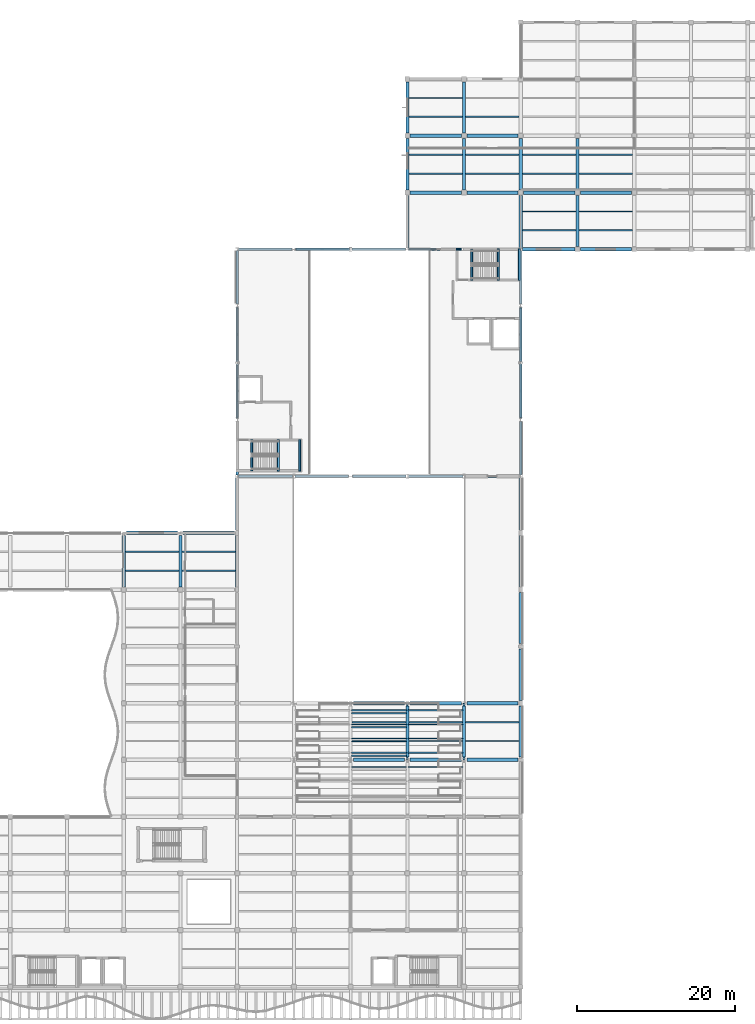
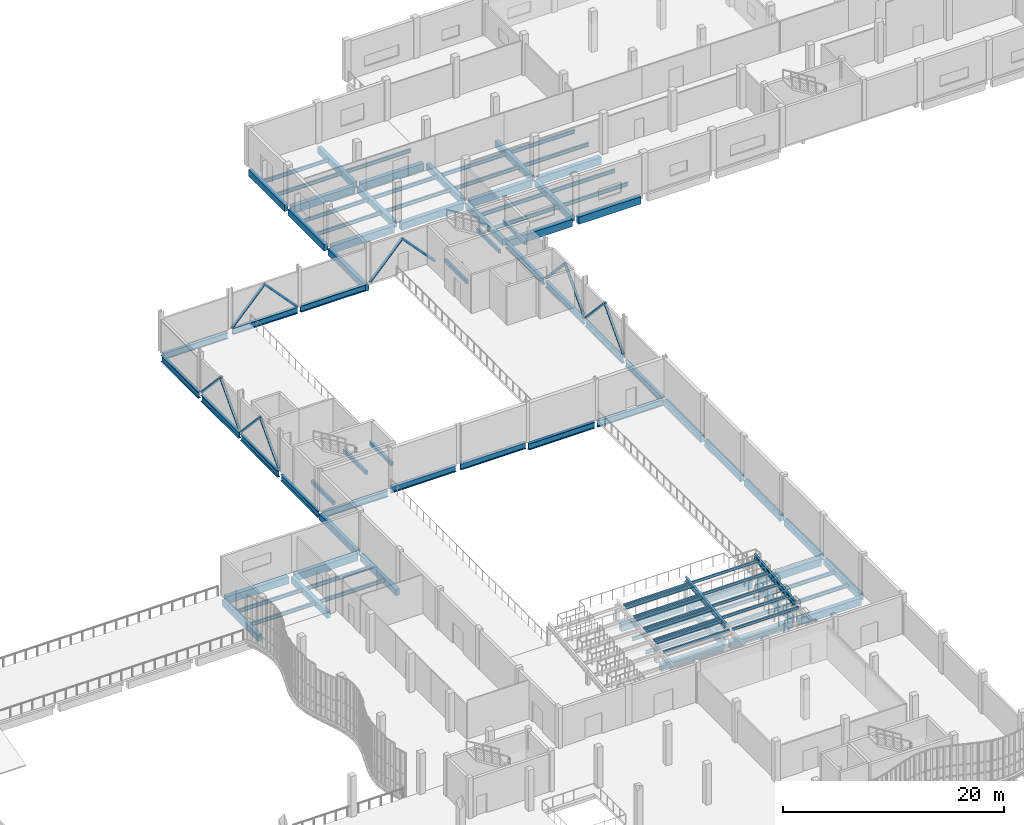
# One storey, part 40 of 105: 99 beams, 12 members.
"""IFC4 building model written with IfcOpenShell, lengths in metres."""

from ifc_helpers import new_model, si_unit, direction, frame, origin, origin_2d, place, context, subcontext, project, spatial, rectangle, hollow_circle, i_section, extrude, material, material_profile, profile_set, type_object, element, save


model = new_model("IFC4")

# Units and contexts
model_context = context("Model", 3, precision=1e-05, world=origin(), true_north=direction((0.0, 1.0)))
body_context = subcontext(model_context, "Body", "Model", "MODEL_VIEW")
ifc_project = project(units=[si_unit("LENGTHUNIT", "METRE"), si_unit("AREAUNIT", "SQUARE_METRE"), si_unit("VOLUMEUNIT", "CUBIC_METRE"), si_unit("PLANEANGLEUNIT", "RADIAN"), si_unit("MASSUNIT", "GRAM", prefix="KILO"), si_unit("THERMODYNAMICTEMPERATUREUNIT", "KELVIN"), si_unit("POWERUNIT", "WATT")], contexts=[model_context])

# Site, building, storey
site_placement = place(None, origin())
site = spatial("IfcSite", under=ifc_project, at=site_placement, CompositionType="ELEMENT")
building_placement = place(site_placement, origin())
building = spatial("IfcBuilding", under=site, at=building_placement, Name="Kaldorven Railside Theatre", CompositionType="ELEMENT")
storey_placement = place(building_placement, frame((0.0, 0.0, 9.89990234375)))
storey = spatial("IfcBuildingStorey", under=building, at=storey_placement, Name="L02", CompositionType="ELEMENT", Elevation=9.89990234375)

# Beams
ifc_material_1 = material(Name="Steel S355", Category="steel")
ifc_material_profile_1 = material_profile(ifc_material_1, i_section(OverallWidth=0.300048828125, OverallDepth=0.699951171875, WebThickness=0.01708984375, FlangeThickness=0.031982421875, at=origin_2d()), Name="HEB 700")
ifc_profile_set_1 = profile_set([ifc_material_profile_1], Name="Steel S355")
beam_type_1 = type_object("IfcBeamType", Name="BM-HEB700", PredefinedType="BEAM", material=ifc_profile_set_1)
beam_1_placement = place(storey_placement, frame((87.384033203125, 84.0, -0.6298828125), z_axis=(1.0, 0.0, 0.0), x_axis=(0.0, 1.0, 0.0)))
element("IfcBeam", 1, at=beam_1_placement, inside=storey, type_object=beam_type_1, Name="L02 Girder BGX-L02-087-084", PredefinedType="BEAM", context=body_context, shape_type="SweptSolid", body=[
    extrude(i_section(OverallWidth=0.300048828125, OverallDepth=0.699951171875, WebThickness=0.01708984375, FlangeThickness=0.031982421875, at=origin_2d()), origin(), (0.0, 0.0, 1.0), 6.865966796875),
])
beam_2_placement = place(storey_placement, frame((87.199951171875, 84.186279296875, -0.6298828125), z_axis=(0.0, 1.0, 0.0), x_axis=(-1.0, 0.0, 0.0)))
element("IfcBeam", 2, at=beam_2_placement, inside=storey, type_object=beam_type_1, Name="L02 Girder BGY-L02-087-084-72", PredefinedType="BEAM", context=body_context, shape_type="SweptSolid", body=[
    extrude(i_section(OverallWidth=0.300048828125, OverallDepth=0.699951171875, WebThickness=0.01708984375, FlangeThickness=0.031982421875, at=origin_2d()), origin(), (0.0, 0.0, 1.0), 6.763671875),
])
beam_3_placement = place(storey_placement, frame((94.550048828125, 84.0, -0.349853515625), z_axis=(1.0, 0.0, 0.0), x_axis=(0.0, 1.0, 0.0)))
element("IfcBeam", 3, at=beam_3_placement, inside=storey, type_object=beam_type_1, Name="L02 Girder BGX-L02-094-084", PredefinedType="BEAM", context=body_context, shape_type="SweptSolid", body=[
    extrude(i_section(OverallWidth=0.300048828125, OverallDepth=0.699951171875, WebThickness=0.01708984375, FlangeThickness=0.031982421875, at=origin_2d()), origin(), (0.0, 0.0, 1.0), 6.800048828125),
])
beam_4_placement = place(storey_placement, frame((101.85009765625, 84.0, -0.349853515625), z_axis=(1.0, 0.0, 0.0), x_axis=(0.0, 1.0, 0.0)))
element("IfcBeam", 4, at=beam_4_placement, inside=storey, type_object=beam_type_1, Name="L02 Girder BGX-L02-101-084", PredefinedType="BEAM", context=body_context, shape_type="SweptSolid", body=[
    extrude(i_section(OverallWidth=0.300048828125, OverallDepth=0.699951171875, WebThickness=0.01708984375, FlangeThickness=0.031982421875, at=origin_2d()), origin(), (0.0, 0.0, 1.0), 6.7998046875),
])
beam_5_placement = place(storey_placement, frame((108.949951171875, 84.0, -0.6298828125), z_axis=(1.0, 0.0, 0.0), x_axis=(0.0, 1.0, 0.0)))
element("IfcBeam", 5, at=beam_5_placement, inside=storey, type_object=beam_type_1, Name="L02 Girder BGX-L02-108-084", PredefinedType="BEAM", context=body_context, shape_type="SweptSolid", body=[
    extrude(i_section(OverallWidth=0.300048828125, OverallDepth=0.699951171875, WebThickness=0.01708984375, FlangeThickness=0.031982421875, at=origin_2d()), origin(), (0.0, 0.0, 1.0), 6.900146484375),
])
beam_6_placement = place(storey_placement, frame((116.14990234375, 84.0, -0.6298828125), z_axis=(1.0, 0.0, 0.0), x_axis=(0.0, 1.0, 0.0)))
element("IfcBeam", 6, at=beam_6_placement, inside=storey, type_object=beam_type_1, Name="L02 Girder BGX-L02-116-084", PredefinedType="BEAM", context=body_context, shape_type="SweptSolid", body=[
    extrude(i_section(OverallWidth=0.300048828125, OverallDepth=0.699951171875, WebThickness=0.01708984375, FlangeThickness=0.031982421875, at=origin_2d()), origin(), (0.0, 0.0, 1.0), 6.865966796875),
])
beam_7_placement = place(storey_placement, frame((123.199951171875, 84.186279296875, -0.6298828125), z_axis=(0.0, 1.0, 0.0), x_axis=(-1.0, 0.0, 0.0)))
element("IfcBeam", 7, at=beam_7_placement, inside=storey, type_object=beam_type_1, Name="L02 Girder BGY-L02-123-084-72", PredefinedType="BEAM", context=body_context, shape_type="SweptSolid", body=[
    extrude(i_section(OverallWidth=0.300048828125, OverallDepth=0.699951171875, WebThickness=0.01708984375, FlangeThickness=0.031982421875, at=origin_2d()), origin(), (0.0, 0.0, 1.0), 6.763671875),
])
for number, where, z_axis, x_axis, name in (
    (8, (87.199951171875, 91.449951171875, -0.58984375), (0.0, 1.0, 0.0), (-1.0, 0.0, 0.0), "L02 Girder BGY-L02-087-091-72"),
    (9, (123.199951171875, 91.449951171875, -0.58984375), (0.0, 1.0, 0.0), (-1.0, 0.0, 0.0), "L02 Girder BGY-L02-123-091-72"),
    (10, (87.199951171875, 98.550048828125, -0.58984375), (0.0, 1.0, 0.0), (-1.0, 0.0, 0.0), "L02 Girder BGY-L02-087-098-72"),
    (11, (123.199951171875, 98.550048828125, -0.58984375), (0.0, 1.0, 0.0), (-1.0, 0.0, 0.0), "L02 Girder BGY-L02-123-098-72"),
):
    element("IfcBeam", number, at=place(storey_placement, frame(where, z_axis=z_axis, x_axis=x_axis)), inside=storey, type_object=beam_type_1, Name=name, PredefinedType="BEAM", context=body_context, shape_type="SweptSolid", body=[
        extrude(i_section(OverallWidth=0.300048828125, OverallDepth=0.699951171875, WebThickness=0.01708984375, FlangeThickness=0.031982421875, at=origin_2d()), origin(), (0.0, 0.0, 1.0), 6.800048828125),
    ])
for number, where, z_axis, x_axis, name in (
    (12, (87.199951171875, 105.85009765625, -0.58984375), (0.0, 1.0, 0.0), (-1.0, 0.0, 0.0), "L02 Girder BGY-L02-087-105-72"),
    (13, (123.199951171875, 105.85009765625, -0.6298828125), (0.0, 1.0, 0.0), (-1.0, 0.0, 0.0), "L02 Girder BGY-L02-123-105-72"),
):
    element("IfcBeam", number, at=place(storey_placement, frame(where, z_axis=z_axis, x_axis=x_axis)), inside=storey, type_object=beam_type_1, Name=name, PredefinedType="BEAM", context=body_context, shape_type="SweptSolid", body=[
        extrude(i_section(OverallWidth=0.300048828125, OverallDepth=0.699951171875, WebThickness=0.01708984375, FlangeThickness=0.031982421875, at=origin_2d()), origin(), (0.0, 0.0, 1.0), 6.765869140625),
    ])
beam_8_placement = place(storey_placement, frame((87.38623046875, 112.800048828125, -0.58984375), z_axis=(1.0, 0.0, 0.0), x_axis=(0.0, 1.0, 0.0)))
element("IfcBeam", 14, at=beam_8_placement, inside=storey, type_object=beam_type_1, Name="L02 Girder BGX-L02-087-112", PredefinedType="BEAM", context=body_context, shape_type="SweptSolid", body=[
    extrude(i_section(OverallWidth=0.300048828125, OverallDepth=0.699951171875, WebThickness=0.01708984375, FlangeThickness=0.031982421875, at=origin_2d()), origin(), (0.0, 0.0, 1.0), 6.763671875),
])
for number, where, z_axis, x_axis, name in (
    (15, (94.64990234375, 112.800048828125, -0.349853515625), (1.0, 0.0, 0.0), (0.0, 1.0, 0.0), "L02 Girder BGX-L02-094-112"),
    (16, (101.75, 112.800048828125, -0.349853515625), (1.0, 0.0, 0.0), (0.0, 1.0, 0.0), "L02 Girder BGX-L02-101-112"),
):
    element("IfcBeam", number, at=place(storey_placement, frame(where, z_axis=z_axis, x_axis=x_axis)), inside=storey, type_object=beam_type_1, Name=name, PredefinedType="BEAM", context=body_context, shape_type="SweptSolid", body=[
        extrude(i_section(OverallWidth=0.300048828125, OverallDepth=0.699951171875, WebThickness=0.01708984375, FlangeThickness=0.031982421875, at=origin_2d()), origin(), (0.0, 0.0, 1.0), 6.800048828125),
    ])
ifc_material_profile_2 = material_profile(ifc_material_1, i_section(OverallWidth=0.14990234375, OverallDepth=0.300048828125, WebThickness=0.007080078125, FlangeThickness=0.0107421875, at=origin_2d()), Name="IPE 300")
ifc_profile_set_2 = profile_set([ifc_material_profile_2], Name="Steel S355")
beam_type_2 = type_object("IfcBeamType", Name="BM-IPE300", PredefinedType="JOIST", material=ifc_profile_set_2)
for number, where, z_axis, x_axis, name in (
    (17, (101.7099609375, 47.10009765625, 1.52001953125), (1.0, 0.0, 0.0), (0.0, 1.0, 0.0), "Seating Tier Transverse Bearer TBR-V1U-042"),
    (18, (108.909912109375, 47.10009765625, 1.52001953125), (1.0, 0.0, 0.0), (0.0, 1.0, 0.0), "Seating Tier Transverse Bearer TBR-V1U-043"),
    (19, (101.7099609375, 48.89990234375, 1.72021484375), (1.0, 0.0, 0.0), (0.0, 1.0, 0.0), "Seating Tier Transverse Bearer TBR-V1U-052"),
    (20, (108.909912109375, 48.89990234375, 1.72021484375), (1.0, 0.0, 0.0), (0.0, 1.0, 0.0), "Seating Tier Transverse Bearer TBR-V1U-053"),
    (21, (101.7099609375, 50.699951171875, 1.920166015625), (1.0, 0.0, 0.0), (0.0, 1.0, 0.0), "Seating Tier Transverse Bearer TBR-V1U-062"),
    (22, (108.909912109375, 50.699951171875, 1.920166015625), (1.0, 0.0, 0.0), (0.0, 1.0, 0.0), "Seating Tier Transverse Bearer TBR-V1U-063"),
    (23, (101.7099609375, 52.5, 2.1201171875), (1.0, 0.0, 0.0), (0.0, 1.0, 0.0), "Seating Tier Transverse Bearer TBR-V1U-072"),
    (24, (108.909912109375, 52.5, 2.1201171875), (1.0, 0.0, 0.0), (0.0, 1.0, 0.0), "Seating Tier Transverse Bearer TBR-V1U-073"),
    (25, (101.7099609375, 54.300048828125, 2.320068359375), (1.0, 0.0, 0.0), (0.0, 1.0, 0.0), "Seating Tier Transverse Bearer TBR-V1U-082"),
    (26, (108.909912109375, 54.300048828125, 2.320068359375), (1.0, 0.0, 0.0), (0.0, 1.0, 0.0), "Seating Tier Transverse Bearer TBR-V1U-083"),
):
    element("IfcBeam", number, at=place(storey_placement, frame(where, z_axis=z_axis, x_axis=x_axis)), inside=storey, type_object=beam_type_2, Name=name, PredefinedType="JOIST", context=body_context, shape_type="SweptSolid", body=[
        extrude(i_section(OverallWidth=0.14990234375, OverallDepth=0.300048828125, WebThickness=0.007080078125, FlangeThickness=0.0107421875, at=origin_2d()), origin(), (0.0, 0.0, 1.0), 6.97998046875),
    ])
ifc_material_profile_3 = material_profile(ifc_material_1, i_section(OverallWidth=0.169921875, OverallDepth=0.360107421875, WebThickness=0.008056640625, FlangeThickness=0.0126953125, at=origin_2d()), Name="IPE 360")
ifc_profile_set_3 = profile_set([ifc_material_profile_3], Name="Steel S355")
beam_type_3 = type_object("IfcBeamType", Name="BM-IPE360", PredefinedType="JOIST", material=ifc_profile_set_3)
for number, where, z_axis, x_axis, name in (
    (27, (101.7099609375, 48.5400390625, 1.690185546875), (1.0, 0.0, 0.0), (0.0, 1.0, 0.0), "Seating Tier Front Step Bearer TBF-V1U-05"),
    (28, (101.7099609375, 50.340087890625, 1.89013671875), (1.0, 0.0, 0.0), (0.0, 1.0, 0.0), "Seating Tier Front Step Bearer TBF-V1U-06"),
    (29, (101.7099609375, 52.139892578125, 2.090087890625), (1.0, 0.0, 0.0), (0.0, 1.0, 0.0), "Seating Tier Front Step Bearer TBF-V1U-07"),
    (30, (101.7099609375, 53.93994140625, 2.2900390625), (1.0, 0.0, 0.0), (0.0, 1.0, 0.0), "Seating Tier Front Step Bearer TBF-V1U-08"),
):
    element("IfcBeam", number, at=place(storey_placement, frame(where, z_axis=z_axis, x_axis=x_axis)), inside=storey, type_object=beam_type_3, Name=name, PredefinedType="JOIST", context=body_context, shape_type="SweptSolid", body=[
        extrude(i_section(OverallWidth=0.169921875, OverallDepth=0.360107421875, WebThickness=0.008056640625, FlangeThickness=0.0126953125, at=origin_2d()), origin(), (0.0, 0.0, 1.0), 6.97998046875),
    ])
ifc_material_profile_4 = material_profile(ifc_material_1, i_section(OverallWidth=0.179931640625, OverallDepth=0.39990234375, WebThickness=0.008544921875, FlangeThickness=0.013427734375, at=origin_2d()), Name="IPE 400")
ifc_profile_set_4 = profile_set([ifc_material_profile_4], Name="Steel S355")
beam_type_4 = type_object("IfcBeamType", Name="BM-IPE400", PredefinedType="JOIST", material=ifc_profile_set_4)
for number, where, z_axis, x_axis, name in (
    (31, (101.800048828125, 50.39990234375, -0.5), (1.0, 0.0, 0.0), (0.0, 1.0, 0.0), "L02 Secondary Floor Joist JG-L02-101-0504"),
    (32, (101.800048828125, 52.800048828125, -0.5), (1.0, 0.0, 0.0), (0.0, 1.0, 0.0), "L02 Secondary Floor Joist JG-L02-101-0528"),
    (33, (109.0, 50.39990234375, -0.5), (1.0, 0.0, 0.0), (0.0, 1.0, 0.0), "L02 Secondary Floor Joist JG-L02-108-0504"),
    (34, (109.0, 52.800048828125, -0.5), (1.0, 0.0, 0.0), (0.0, 1.0, 0.0), "L02 Secondary Floor Joist JG-L02-108-0528"),
    (35, (116.199951171875, 50.39990234375, -0.5), (1.0, 0.0, 0.0), (0.0, 1.0, 0.0), "L02 Secondary Floor Joist JG-L02-116-0504"),
    (36, (116.199951171875, 52.800048828125, -0.5), (1.0, 0.0, 0.0), (0.0, 1.0, 0.0), "L02 Secondary Floor Joist JG-L02-116-0528"),
    (37, (73.0, 72.0, -0.449951171875), (1.0, 0.0, 0.0), (0.0, 1.0, 0.0), "L02 Secondary Floor Joist JG-L02-072-0720"),
    (38, (73.0, 74.39990234375, -0.449951171875), (1.0, 0.0, 0.0), (0.0, 1.0, 0.0), "L02 Secondary Floor Joist JG-L02-072-0744"),
    (39, (80.199951171875, 72.0, -0.449951171875), (1.0, 0.0, 0.0), (0.0, 1.0, 0.0), "L02 Secondary Floor Joist JG-L02-080-0720"),
    (40, (80.199951171875, 74.39990234375, -0.449951171875), (1.0, 0.0, 0.0), (0.0, 1.0, 0.0), "L02 Secondary Floor Joist JG-L02-080-0744"),
    (41, (123.39990234375, 115.199951171875, -0.47998046875), (1.0, 0.0, 0.0), (0.0, 1.0, 0.0), "L02 Secondary Floor Joist JG-L02-123-1152"),
    (42, (123.39990234375, 117.60009765625, -0.47998046875), (1.0, 0.0, 0.0), (0.0, 1.0, 0.0), "L02 Secondary Floor Joist JG-L02-123-1176"),
):
    element("IfcBeam", number, at=place(storey_placement, frame(where, z_axis=z_axis, x_axis=x_axis)), inside=storey, type_object=beam_type_4, Name=name, PredefinedType="JOIST", context=body_context, shape_type="SweptSolid", body=[
        extrude(i_section(OverallWidth=0.179931640625, OverallDepth=0.39990234375, WebThickness=0.008544921875, FlangeThickness=0.013427734375, at=origin_2d()), origin(), (0.0, 0.0, 1.0), 6.800048828125),
    ])
for number, where, z_axis, x_axis, name in (
    (43, (130.60009765625, 115.199951171875, -0.47998046875), (1.0, 0.0, 0.0), (0.0, 1.0, 0.0), "L02 Secondary Floor Joist JG-L02-130-1152"),
    (44, (130.60009765625, 117.60009765625, -0.47998046875), (1.0, 0.0, 0.0), (0.0, 1.0, 0.0), "L02 Secondary Floor Joist JG-L02-130-1176"),
):
    element("IfcBeam", number, at=place(storey_placement, frame(where, z_axis=z_axis, x_axis=x_axis)), inside=storey, type_object=beam_type_4, Name=name, PredefinedType="JOIST", context=body_context, shape_type="SweptSolid", body=[
        extrude(i_section(OverallWidth=0.179931640625, OverallDepth=0.39990234375, WebThickness=0.008544921875, FlangeThickness=0.013427734375, at=origin_2d()), origin(), (0.0, 0.0, 1.0), 6.7998046875),
    ])
for number, where, z_axis, x_axis, name in (
    (45, (109.0, 122.39990234375, -0.47998046875), (1.0, 0.0, 0.0), (0.0, 1.0, 0.0), "L02 Secondary Floor Joist JG-L02-108-1224"),
    (46, (109.0, 124.800048828125, -0.47998046875), (1.0, 0.0, 0.0), (0.0, 1.0, 0.0), "L02 Secondary Floor Joist JG-L02-108-1248"),
    (47, (116.199951171875, 122.39990234375, -0.47998046875), (1.0, 0.0, 0.0), (0.0, 1.0, 0.0), "L02 Secondary Floor Joist JG-L02-116-1224"),
    (48, (116.199951171875, 124.800048828125, -0.47998046875), (1.0, 0.0, 0.0), (0.0, 1.0, 0.0), "L02 Secondary Floor Joist JG-L02-116-1248"),
    (49, (123.39990234375, 122.39990234375, -0.47998046875), (1.0, 0.0, 0.0), (0.0, 1.0, 0.0), "L02 Secondary Floor Joist JG-L02-123-1224"),
    (50, (123.39990234375, 124.800048828125, -0.47998046875), (1.0, 0.0, 0.0), (0.0, 1.0, 0.0), "L02 Secondary Floor Joist JG-L02-123-1248"),
):
    element("IfcBeam", number, at=place(storey_placement, frame(where, z_axis=z_axis, x_axis=x_axis)), inside=storey, type_object=beam_type_4, Name=name, PredefinedType="JOIST", context=body_context, shape_type="SweptSolid", body=[
        extrude(i_section(OverallWidth=0.179931640625, OverallDepth=0.39990234375, WebThickness=0.008544921875, FlangeThickness=0.013427734375, at=origin_2d()), origin(), (0.0, 0.0, 1.0), 6.800048828125),
    ])
for number, where, z_axis, x_axis, name in (
    (51, (130.60009765625, 122.39990234375, -0.47998046875), (1.0, 0.0, 0.0), (0.0, 1.0, 0.0), "L02 Secondary Floor Joist JG-L02-130-1224"),
    (52, (130.60009765625, 124.800048828125, -0.47998046875), (1.0, 0.0, 0.0), (0.0, 1.0, 0.0), "L02 Secondary Floor Joist JG-L02-130-1248"),
):
    element("IfcBeam", number, at=place(storey_placement, frame(where, z_axis=z_axis, x_axis=x_axis)), inside=storey, type_object=beam_type_4, Name=name, PredefinedType="JOIST", context=body_context, shape_type="SweptSolid", body=[
        extrude(i_section(OverallWidth=0.179931640625, OverallDepth=0.39990234375, WebThickness=0.008544921875, FlangeThickness=0.013427734375, at=origin_2d()), origin(), (0.0, 0.0, 1.0), 6.7998046875),
    ])
for number, where, z_axis, x_axis, name in (
    (53, (109.0, 129.60009765625, -0.47998046875), (1.0, 0.0, 0.0), (0.0, 1.0, 0.0), "L02 Secondary Floor Joist JG-L02-108-1296"),
    (54, (109.0, 132.0, -0.47998046875), (1.0, 0.0, 0.0), (0.0, 1.0, 0.0), "L02 Secondary Floor Joist JG-L02-108-1320"),
    (55, (116.199951171875, 129.60009765625, -0.47998046875), (1.0, 0.0, 0.0), (0.0, 1.0, 0.0), "L02 Secondary Floor Joist JG-L02-116-1296"),
):
    element("IfcBeam", number, at=place(storey_placement, frame(where, z_axis=z_axis, x_axis=x_axis)), inside=storey, type_object=beam_type_4, Name=name, PredefinedType="JOIST", context=body_context, shape_type="SweptSolid", body=[
        extrude(i_section(OverallWidth=0.179931640625, OverallDepth=0.39990234375, WebThickness=0.008544921875, FlangeThickness=0.013427734375, at=origin_2d()), origin(), (0.0, 0.0, 1.0), 6.800048828125),
    ])
ifc_material_profile_5 = material_profile(ifc_material_1, i_section(OverallWidth=0.219970703125, OverallDepth=0.60009765625, WebThickness=0.011962890625, FlangeThickness=0.01904296875, at=origin_2d()), Name="IPE 600")
ifc_profile_set_5 = profile_set([ifc_material_profile_5], Name="Steel S355")
beam_type_5 = type_object("IfcBeamType", Name="BM-IPE600", PredefinedType="USERDEFINED", material=ifc_profile_set_5)
for number, where, z_axis, x_axis, name in (
    (56, (108.800048828125, 48.0, 1.43017578125), (0.0, 0.993886611281, 0.110405633534), (-1.0, 0.0, 0.0), "Auditorium Raker Girder RKG-V1U-32"),
    (57, (116.0, 48.0, 1.43017578125), (0.0, 0.993886611281, 0.110405633534), (-1.0, 0.0, 0.0), "Auditorium Raker Girder RKG-V1U-42"),
):
    element("IfcBeam", number, at=place(storey_placement, frame(where, z_axis=z_axis, x_axis=x_axis)), inside=storey, type_object=beam_type_5, Name=name, ObjectType="RAKER BEAM", PredefinedType="USERDEFINED", context=body_context, shape_type="SweptSolid", body=[
        extrude(i_section(OverallWidth=0.219970703125, OverallDepth=0.60009765625, WebThickness=0.011962890625, FlangeThickness=0.01904296875, at=origin_2d()), origin(), (0.0, 0.0, 1.0), 7.244140625),
    ])
ifc_material_2 = material(Name="Concrete C40/50", Category="concrete")
ifc_material_profile_6 = material_profile(ifc_material_2, rectangle(XDim=0.25, YDim=0.39990234375, at=origin_2d()), Name="RC 250x400")
ifc_profile_set_6 = profile_set([ifc_material_profile_6], Name="Concrete C40/50")
beam_type_6 = type_object("IfcBeamType", Name="BM-RC250x400", PredefinedType="LINTEL", material=ifc_profile_set_6)
beam_9_placement = place(storey_placement, frame((89.050048828125, 84.669921875, -0.344970703125), z_axis=(0.0, 1.0, 0.0), x_axis=(-1.0, 0.0, 0.0)))
element("IfcBeam", 58, at=beam_9_placement, inside=storey, type_object=beam_type_6, Name="Stair ST-05 L02 Landing Trimmer Beam", PredefinedType="LINTEL", context=body_context, shape_type="SweptSolid", body=[
    extrude(rectangle(XDim=0.25, YDim=0.39990234375, at=origin_2d()), origin(), (0.0, 0.0, 1.0), 3.9599609375),
])
for number, where, z_axis, x_axis, name in (
    (59, (92.43505859375, 84.639892578125, 1.85009765625), (0.0, 1.0, 0.0), (-1.0, 0.0, 0.0), "Stair ST-05 L02 Half-Landing Bearer"),
    (60, (95.1298828125, 84.639892578125, 1.85009765625), (0.0, 1.0, 0.0), (-1.0, 0.0, 0.0), "Stair ST-05 L02 Half-Landing Bearer"),
):
    element("IfcBeam", number, at=place(storey_placement, frame(where, z_axis=z_axis, x_axis=x_axis)), inside=storey, type_object=beam_type_6, Name=name, PredefinedType="LINTEL", context=body_context, shape_type="SweptSolid", body=[
        extrude(rectangle(XDim=0.25, YDim=0.39990234375, at=origin_2d()), origin(), (0.0, 0.0, 1.0), 4.02001953125),
    ])
beam_10_placement = place(storey_placement, frame((116.949951171875, 108.8701171875, -0.344970703125), z_axis=(0.0, 1.0, 0.0), x_axis=(-1.0, 0.0, 0.0)))
element("IfcBeam", 61, at=beam_10_placement, inside=storey, type_object=beam_type_6, Name="Stair ST-06 L02 Landing Trimmer Beam", PredefinedType="LINTEL", context=body_context, shape_type="SweptSolid", body=[
    extrude(rectangle(XDim=0.25, YDim=0.39990234375, at=origin_2d()), origin(), (0.0, 0.0, 1.0), 3.9599609375),
])
for number, where, z_axis, x_axis, name in (
    (62, (120.3349609375, 108.840087890625, 1.85009765625), (0.0, 1.0, 0.0), (-1.0, 0.0, 0.0), "Stair ST-06 L02 Half-Landing Bearer"),
    (63, (123.030029296875, 108.840087890625, 1.85009765625), (0.0, 1.0, 0.0), (-1.0, 0.0, 0.0), "Stair ST-06 L02 Half-Landing Bearer"),
):
    element("IfcBeam", number, at=place(storey_placement, frame(where, z_axis=z_axis, x_axis=x_axis)), inside=storey, type_object=beam_type_6, Name=name, PredefinedType="LINTEL", context=body_context, shape_type="SweptSolid", body=[
        extrude(rectangle(XDim=0.25, YDim=0.39990234375, at=origin_2d()), origin(), (0.0, 0.0, 1.0), 4.02001953125),
    ])
ifc_material_profile_7 = material_profile(ifc_material_2, rectangle(XDim=0.39990234375, YDim=0.699951171875, at=origin_2d()), Name="RC 400x700")
ifc_profile_set_7 = profile_set([ifc_material_profile_7], Name="Concrete C40/50")
beam_type_7 = type_object("IfcBeamType", Name="BM-RC400x700", PredefinedType="BEAM", material=ifc_profile_set_7)
for number, where, z_axis, x_axis, name in (
    (64, (108.800048828125, 48.35009765625, -0.64990234375), (0.0, 1.0, 0.0), (-1.0, 0.0, 0.0), "L02 Girder BGY-L02-108-048-72"),
    (65, (116.0, 48.35009765625, -0.64990234375), (0.0, 1.0, 0.0), (-1.0, 0.0, 0.0), "L02 Girder BGY-L02-116-048-72"),
    (66, (123.199951171875, 48.35009765625, -0.64990234375), (0.0, 1.0, 0.0), (-1.0, 0.0, 0.0), "L02 Girder BGY-L02-123-048-72"),
    (67, (123.199951171875, 55.550048828125, -0.6298828125), (0.0, 1.0, 0.0), (-1.0, 0.0, 0.0), "L02 Girder BGY-L02-123-055-72"),
    (68, (123.199951171875, 62.75, -0.6298828125), (0.0, 1.0, 0.0), (-1.0, 0.0, 0.0), "L02 Girder BGY-L02-123-062-72"),
    (69, (72.800048828125, 69.949951171875, -0.599853515625), (0.0, 1.0, 0.0), (-1.0, 0.0, 0.0), "L02 Girder BGY-L02-072-069-72"),
    (70, (80.0, 69.949951171875, -0.599853515625), (0.0, 1.0, 0.0), (-1.0, 0.0, 0.0), "L02 Girder BGY-L02-080-069-72"),
    (71, (87.199951171875, 69.949951171875, -0.6298828125), (0.0, 1.0, 0.0), (-1.0, 0.0, 0.0), "L02 Girder BGY-L02-087-069-72"),
    (72, (123.199951171875, 69.949951171875, -0.6298828125), (0.0, 1.0, 0.0), (-1.0, 0.0, 0.0), "L02 Girder BGY-L02-123-069-72"),
):
    element("IfcBeam", number, at=place(storey_placement, frame(where, z_axis=z_axis, x_axis=x_axis)), inside=storey, type_object=beam_type_7, Name=name, PredefinedType="BEAM", context=body_context, shape_type="SweptSolid", body=[
        extrude(rectangle(XDim=0.39990234375, YDim=0.699951171875, at=origin_2d()), origin(), (0.0, 0.0, 1.0), 6.5),
    ])
for number, where, z_axis, x_axis, name in (
    (73, (87.199951171875, 77.14990234375, -0.6298828125), (0.0, 1.0, 0.0), (-1.0, 0.0, 0.0), "L02 Girder BGY-L02-087-076-72"),
    (74, (123.199951171875, 77.14990234375, -0.6298828125), (0.0, 1.0, 0.0), (-1.0, 0.0, 0.0), "L02 Girder BGY-L02-123-076-72"),
):
    element("IfcBeam", number, at=place(storey_placement, frame(where, z_axis=z_axis, x_axis=x_axis)), inside=storey, type_object=beam_type_7, Name=name, PredefinedType="BEAM", context=body_context, shape_type="SweptSolid", body=[
        extrude(rectangle(XDim=0.39990234375, YDim=0.699951171875, at=origin_2d()), origin(), (0.0, 0.0, 1.0), 6.663818359375),
    ])
beam_11_placement = place(storey_placement, frame((108.800048828125, 112.949951171875, -0.6298828125), z_axis=(0.0, 1.0, 0.0), x_axis=(-1.0, 0.0, 0.0)))
element("IfcBeam", 75, at=beam_11_placement, inside=storey, type_object=beam_type_7, Name="L02 Girder BGY-L02-108-112-72", PredefinedType="BEAM", context=body_context, shape_type="SweptSolid", body=[
    extrude(rectangle(XDim=0.39990234375, YDim=0.699951171875, at=origin_2d()), origin(), (0.0, 0.0, 1.0), 6.699951171875),
])
beam_12_placement = place(storey_placement, frame((123.199951171875, 112.984130859375, -0.6298828125), z_axis=(0.0, 1.0, 0.0), x_axis=(-1.0, 0.0, 0.0)))
element("IfcBeam", 76, at=beam_12_placement, inside=storey, type_object=beam_type_7, Name="L02 Girder BGY-L02-123-112-72", PredefinedType="BEAM", context=body_context, shape_type="SweptSolid", body=[
    extrude(rectangle(XDim=0.39990234375, YDim=0.699951171875, at=origin_2d()), origin(), (0.0, 0.0, 1.0), 6.665771484375),
])
for number, where, z_axis, x_axis, name in (
    (77, (130.39990234375, 113.14990234375, -0.6298828125), (0.0, 1.0, 0.0), (-1.0, 0.0, 0.0), "L02 Girder BGY-L02-130-112-72"),
    (78, (108.800048828125, 120.35009765625, -0.6298828125), (0.0, 1.0, 0.0), (-1.0, 0.0, 0.0), "L02 Girder BGY-L02-108-120-72"),
    (79, (116.0, 120.35009765625, -0.6298828125), (0.0, 1.0, 0.0), (-1.0, 0.0, 0.0), "L02 Girder BGY-L02-116-120-72"),
    (80, (123.199951171875, 120.35009765625, -0.6298828125), (0.0, 1.0, 0.0), (-1.0, 0.0, 0.0), "L02 Girder BGY-L02-123-120-72"),
    (81, (130.39990234375, 120.35009765625, -0.6298828125), (0.0, 1.0, 0.0), (-1.0, 0.0, 0.0), "L02 Girder BGY-L02-130-120-72"),
    (82, (108.800048828125, 127.550048828125, -0.6298828125), (0.0, 1.0, 0.0), (-1.0, 0.0, 0.0), "L02 Girder BGY-L02-108-127-72"),
    (83, (116.0, 127.550048828125, -0.6298828125), (0.0, 1.0, 0.0), (-1.0, 0.0, 0.0), "L02 Girder BGY-L02-116-127-72"),
):
    element("IfcBeam", number, at=place(storey_placement, frame(where, z_axis=z_axis, x_axis=x_axis)), inside=storey, type_object=beam_type_7, Name=name, PredefinedType="BEAM", context=body_context, shape_type="SweptSolid", body=[
        extrude(rectangle(XDim=0.39990234375, YDim=0.699951171875, at=origin_2d()), origin(), (0.0, 0.0, 1.0), 6.5),
    ])
ifc_material_profile_8 = material_profile(ifc_material_2, rectangle(XDim=0.449951171875, YDim=0.800048828125, at=origin_2d()), Name="RC 450x800")
ifc_profile_set_8 = profile_set([ifc_material_profile_8], Name="Concrete C40/50")
beam_type_8 = type_object("IfcBeamType", Name="BM-RC450x800", PredefinedType="BEAM", material=ifc_profile_set_8)
for number, where, z_axis, x_axis, name in (
    (84, (101.949951171875, 48.0, -0.699951171875), (1.0, 0.0, 0.0), (0.0, 1.0, 0.0), "L02 Girder BGX-L02-101-048"),
    (85, (109.14990234375, 48.0, -0.699951171875), (1.0, 0.0, 0.0), (0.0, 1.0, 0.0), "L02 Girder BGX-L02-108-048"),
    (86, (116.35009765625, 48.0, -0.699951171875), (1.0, 0.0, 0.0), (0.0, 1.0, 0.0), "L02 Girder BGX-L02-116-048"),
    (87, (101.949951171875, 55.199951171875, -0.699951171875), (1.0, 0.0, 0.0), (0.0, 1.0, 0.0), "L02 Girder BGX-L02-101-055"),
    (88, (109.14990234375, 55.199951171875, -0.699951171875), (1.0, 0.0, 0.0), (0.0, 1.0, 0.0), "L02 Girder BGX-L02-108-055"),
    (89, (116.35009765625, 55.199951171875, -0.699951171875), (1.0, 0.0, 0.0), (0.0, 1.0, 0.0), "L02 Girder BGX-L02-116-055"),
    (90, (73.14990234375, 76.800048828125, -0.64990234375), (1.0, 0.0, 0.0), (0.0, 1.0, 0.0), "L02 Girder BGX-L02-072-076"),
    (91, (80.35009765625, 76.800048828125, -0.64990234375), (1.0, 0.0, 0.0), (0.0, 1.0, 0.0), "L02 Girder BGX-L02-080-076"),
):
    element("IfcBeam", number, at=place(storey_placement, frame(where, z_axis=z_axis, x_axis=x_axis)), inside=storey, type_object=beam_type_8, Name=name, PredefinedType="BEAM", context=body_context, shape_type="SweptSolid", body=[
        extrude(rectangle(XDim=0.449951171875, YDim=0.800048828125, at=origin_2d()), origin(), (0.0, 0.0, 1.0), 6.5),
    ])
beam_13_placement = place(storey_placement, frame((123.38623046875, 112.800048828125, -0.679931640625), z_axis=(1.0, 0.0, 0.0), x_axis=(0.0, 1.0, 0.0)))
element("IfcBeam", 92, at=beam_13_placement, inside=storey, type_object=beam_type_8, Name="L02 Girder BGX-L02-123-112", PredefinedType="BEAM", context=body_context, shape_type="SweptSolid", body=[
    extrude(rectangle(XDim=0.449951171875, YDim=0.800048828125, at=origin_2d()), origin(), (0.0, 0.0, 1.0), 6.663818359375),
])
for number, where, z_axis, x_axis, name in (
    (93, (130.75, 112.800048828125, -0.679931640625), (1.0, 0.0, 0.0), (0.0, 1.0, 0.0), "L02 Girder BGX-L02-130-112"),
    (94, (109.14990234375, 120.0, -0.679931640625), (1.0, 0.0, 0.0), (0.0, 1.0, 0.0), "L02 Girder BGX-L02-108-120"),
    (95, (116.35009765625, 120.0, -0.679931640625), (1.0, 0.0, 0.0), (0.0, 1.0, 0.0), "L02 Girder BGX-L02-116-120"),
    (96, (123.550048828125, 120.0, -0.679931640625), (1.0, 0.0, 0.0), (0.0, 1.0, 0.0), "L02 Girder BGX-L02-123-120"),
    (97, (130.75, 120.0, -0.679931640625), (1.0, 0.0, 0.0), (0.0, 1.0, 0.0), "L02 Girder BGX-L02-130-120"),
    (98, (109.14990234375, 127.199951171875, -0.679931640625), (1.0, 0.0, 0.0), (0.0, 1.0, 0.0), "L02 Girder BGX-L02-108-127"),
    (99, (116.35009765625, 127.199951171875, -0.679931640625), (1.0, 0.0, 0.0), (0.0, 1.0, 0.0), "L02 Girder BGX-L02-116-127"),
):
    element("IfcBeam", number, at=place(storey_placement, frame(where, z_axis=z_axis, x_axis=x_axis)), inside=storey, type_object=beam_type_8, Name=name, PredefinedType="BEAM", context=body_context, shape_type="SweptSolid", body=[
        extrude(rectangle(XDim=0.449951171875, YDim=0.800048828125, at=origin_2d()), origin(), (0.0, 0.0, 1.0), 6.5),
    ])

# Members
ifc_material_profile_9 = material_profile(ifc_material_1, hollow_circle(Radius=0.136474609375, WallThickness=0.012451171875, at=origin_2d()), Name="CHS 273x12.5")
ifc_profile_set_9 = profile_set([ifc_material_profile_9], Name="Steel S355")
member_type = type_object("IfcMemberType", Name="MEM-CHS273", PredefinedType="BRACE", material=ifc_profile_set_9)
member_1_placement = place(storey_placement, frame((87.199951171875, 91.419921875, 0.0400390625), z_axis=(0.0, 0.680451099367, 0.732793491626), x_axis=(-1.0, 0.0, 0.0)))
element("IfcMember", 100, at=member_1_placement, inside=storey, type_object=member_type, Name="Fly-Tower Concentric Chevron Brace BR-013", PredefinedType="BRACE", context=body_context, shape_type="SweptSolid", body=[
    extrude(hollow_circle(Radius=0.136474609375, WallThickness=0.012451171875, at=origin_2d()), origin(), (0.0, 0.0, 1.0), 4.967529296875),
])
for number, where, z_axis, x_axis, name in (
    (101, (87.199951171875, 98.179931640625, 0.0400390625), (0.0, -0.680424706355, 0.732817998538), (1.0, 0.0, 0.0), "Fly-Tower Concentric Chevron Brace BR-014"),
    (102, (87.199951171875, 98.6201171875, 0.0400390625), (0.0, 0.680424706355, 0.732817998538), (-1.0, 0.0, 0.0), "Fly-Tower Concentric Chevron Brace BR-015"),
    (103, (87.199951171875, 105.3798828125, 0.0400390625), (0.0, -0.680424706355, 0.732817998538), (1.0, 0.0, 0.0), "Fly-Tower Concentric Chevron Brace BR-016"),
):
    element("IfcMember", number, at=place(storey_placement, frame(where, z_axis=z_axis, x_axis=x_axis)), inside=storey, type_object=member_type, Name=name, PredefinedType="BRACE", context=body_context, shape_type="SweptSolid", body=[
        extrude(hollow_circle(Radius=0.136474609375, WallThickness=0.012451171875, at=origin_2d()), origin(), (0.0, 0.0, 1.0), 4.96728515625),
    ])
member_2_placement = place(storey_placement, frame((123.199951171875, 91.419921875, 0.0400390625), z_axis=(0.0, 0.680451099367, 0.732793491626), x_axis=(-1.0, 0.0, 0.0)))
element("IfcMember", 104, at=member_2_placement, inside=storey, type_object=member_type, Name="Fly-Tower Concentric Chevron Brace BR-017", PredefinedType="BRACE", context=body_context, shape_type="SweptSolid", body=[
    extrude(hollow_circle(Radius=0.136474609375, WallThickness=0.012451171875, at=origin_2d()), origin(), (0.0, 0.0, 1.0), 4.967529296875),
])
for number, where, z_axis, x_axis, name in (
    (105, (123.199951171875, 98.179931640625, 0.0400390625), (0.0, -0.680424706355, 0.732817998538), (1.0, 0.0, 0.0), "Fly-Tower Concentric Chevron Brace BR-018"),
    (106, (123.199951171875, 98.6201171875, 0.0400390625), (0.0, 0.680424706355, 0.732817998538), (-1.0, 0.0, 0.0), "Fly-Tower Concentric Chevron Brace BR-019"),
    (107, (123.199951171875, 105.3798828125, 0.0400390625), (0.0, -0.680424706355, 0.732817998538), (1.0, 0.0, 0.0), "Fly-Tower Concentric Chevron Brace BR-020"),
    (108, (94.6201171875, 112.800048828125, 0.0400390625), (0.680424706355, 0.0, 0.732817998538), (0.0, 1.0, 0.0), "Fly-Tower Concentric Chevron Brace BR-021"),
    (109, (101.3798828125, 112.800048828125, 0.0400390625), (-0.680424706355, 0.0, 0.732817998538), (0.0, -1.0, 0.0), "Fly-Tower Concentric Chevron Brace BR-022"),
    (110, (109.02001953125, 112.800048828125, 0.0400390625), (0.680424706355, 0.0, 0.732817998538), (0.0, 1.0, 0.0), "Fly-Tower Concentric Chevron Brace BR-023"),
):
    element("IfcMember", number, at=place(storey_placement, frame(where, z_axis=z_axis, x_axis=x_axis)), inside=storey, type_object=member_type, Name=name, PredefinedType="BRACE", context=body_context, shape_type="SweptSolid", body=[
        extrude(hollow_circle(Radius=0.136474609375, WallThickness=0.012451171875, at=origin_2d()), origin(), (0.0, 0.0, 1.0), 4.96728515625),
    ])
member_3_placement = place(storey_placement, frame((115.780029296875, 112.800048828125, 0.0400390625), z_axis=(-0.680451099367, 0.0, 0.732793491626), x_axis=(0.0, -1.0, 0.0)))
element("IfcMember", 111, at=member_3_placement, inside=storey, type_object=member_type, Name="Fly-Tower Concentric Chevron Brace BR-024", PredefinedType="BRACE", context=body_context, shape_type="SweptSolid", body=[
    extrude(hollow_circle(Radius=0.136474609375, WallThickness=0.012451171875, at=origin_2d()), origin(), (0.0, 0.0, 1.0), 4.967529296875),
])

save(model, "model.ifc")
